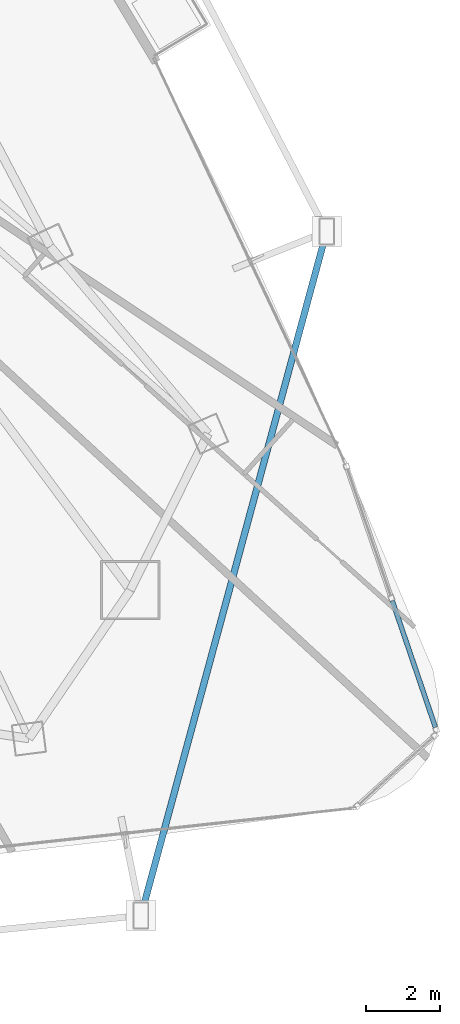
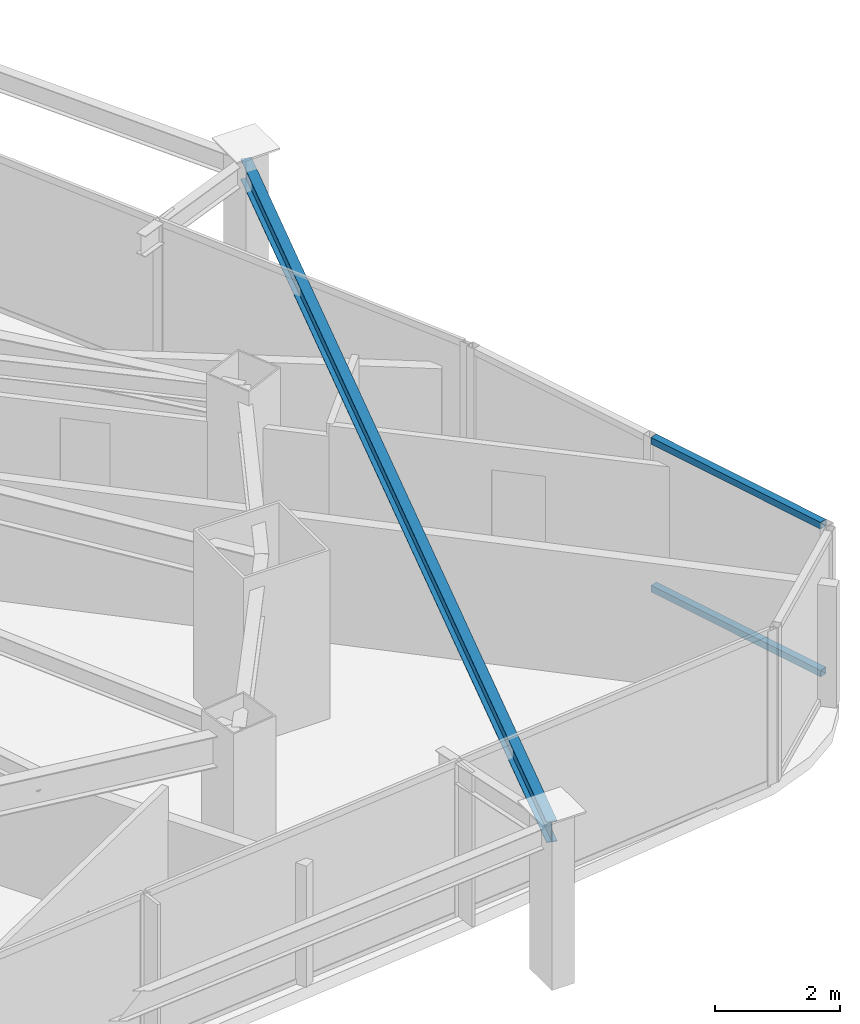
# One storey, part 14 of 33: 2 members, 1 beam, 1 element without a shape of its own.
"""IFC4 building model written with IfcOpenShell, lengths in metres."""

from ifc_helpers import new_model, si_unit, direction, frame, origin, origin_2d, place, context, subcontext, project, spatial, hollow_rectangle, i_section, extrude, material, layer, layer_set, material_profile, profile_set, type_object, element, aggregate, save


model = new_model("IFC4")

# Units and contexts
model_context = context("Model", 3, precision=1e-05, world=origin(), true_north=direction((0.0, 1.0)))
body_context = subcontext(model_context, "Body", "Model", "MODEL_VIEW")
ifc_project = project(units=[si_unit("LENGTHUNIT", "METRE"), si_unit("AREAUNIT", "SQUARE_METRE"), si_unit("VOLUMEUNIT", "CUBIC_METRE"), si_unit("PLANEANGLEUNIT", "RADIAN"), si_unit("MASSUNIT", "GRAM", prefix="KILO")], contexts=[model_context])

# Site, building, storey
site_placement = place(None, origin())
site = spatial("IfcSite", under=ifc_project, at=site_placement, CompositionType="ELEMENT")
building_placement = place(site_placement, origin())
building = spatial("IfcBuilding", under=site, at=building_placement, Name="Orvanel Arch Residences", CompositionType="ELEMENT")
storey_placement = place(building_placement, frame((0.0, 0.0, 93.949951171875)))
storey = spatial("IfcBuildingStorey", under=building, at=storey_placement, Name="L26", CompositionType="ELEMENT", Elevation=93.949951171875)

# Beam
ifc_material_1 = material(Name="Structural steel AS/NZS 3679.1 Grade 300 (300 MPa)", Category="steel")
ifc_material_profile_1 = material_profile(ifc_material_1, i_section(OverallWidth=0.177978515625, OverallDepth=0.406005859375, WebThickness=0.0078125, FlangeThickness=0.0126953125, at=origin_2d()), Name="410UB59.7")
ifc_profile_set_1 = profile_set([ifc_material_profile_1], Name="Structural steel AS/NZS 3679.1 Grade 300 (300 MPa)")
beam_type = type_object("IfcBeamType", Name="OB-410UB-EXT", PredefinedType="SPANDREL", material=ifc_profile_set_1)
beam_placement = place(storey_placement, frame((52.089111328125, 1.554931640625, 2.817138671875), z_axis=(0.261941985066, 0.965083621486, 0.0), x_axis=(-0.965083621486, 0.261941985066, 0.0)))
element("IfcBeam", 1, at=beam_placement, inside=storey, type_object=beam_type, Name="L26 Outer Perimeter Floor Ring Beam 08", PredefinedType="SPANDREL", context=body_context, shape_type="SweptSolid", body=[
    extrude(i_section(OverallWidth=0.177978515625, OverallDepth=0.406005859375, WebThickness=0.0078125, FlangeThickness=0.0126953125, at=origin_2d()), origin(), (0.0, 0.0, 1.0), 19.159912109375),
])

# Curtain wall, members
ifc_material_2 = material(Name="Bronze-anodised aluminium AA6063-T6", Category="aluminium")
ifc_layer = layer(ifc_material_2, 0.18994140625)
ifc_layer_set = layer_set([ifc_layer], Name="Bronze-anodised aluminium AA6063-T6")
curtain_wall_type = type_object("IfcCurtainWallType", Name="CW5-CRN-SYS", PredefinedType="NOTDEFINED", material=ifc_layer_set)
curtain_wall_placement = place(storey_placement, origin())
curtain_wall = element("IfcCurtainWall", 2, at=curtain_wall_placement, inside=storey, type_object=curtain_wall_type, Name="L26 CW5-CRN-SYS Unitised Curtain Wall", PredefinedType="NOTDEFINED")
ifc_material_profile_2 = material_profile(ifc_material_2, hollow_rectangle(XDim=0.1298828125, YDim=0.1298828125, WallThickness=0.00439453125, at=origin_2d()), Name="ALU130x130x4.5")
ifc_profile_set_2 = profile_set([ifc_material_profile_2], Name="Bronze-anodised aluminium AA6063-T6")
member_type = type_object("IfcMemberType", Name="TRN-130x130", PredefinedType="USERDEFINED", material=ifc_profile_set_2)
member_1_placement = place(storey_placement, frame((60.047607421875, 6.64599609375, 0.06494140625), z_axis=(-0.322406874767, 0.946601186933, 0.0), x_axis=(-0.946601186933, -0.322406874767, 0.0)))
member_1 = element("IfcMember", 3, at=member_1_placement, type_object=member_type, Name="CW-S5 transom 1.1", ObjectType="TRANSOM", PredefinedType="USERDEFINED", context=body_context, shape_type="SweptSolid", body=[
    extrude(hollow_rectangle(XDim=0.1298828125, YDim=0.1298828125, WallThickness=0.00439453125, at=origin_2d()), origin(), (0.0, 0.0, 1.0), 3.611328125),
])
member_2_placement = place(storey_placement, frame((60.047607421875, 6.64599609375, 2.955078125), z_axis=(-0.322406874767, 0.946601186933, 0.0), x_axis=(-0.946601186933, -0.322406874767, 0.0)))
member_2 = element("IfcMember", 4, at=member_2_placement, type_object=member_type, Name="CW-S5 transom 1.2", ObjectType="TRANSOM", PredefinedType="USERDEFINED", context=body_context, shape_type="SweptSolid", body=[
    extrude(hollow_rectangle(XDim=0.1298828125, YDim=0.1298828125, WallThickness=0.00439453125, at=origin_2d()), origin(), (0.0, 0.0, 1.0), 3.611328125),
])
aggregate(curtain_wall, [member_1, member_2])

save(model, "model.ifc")
